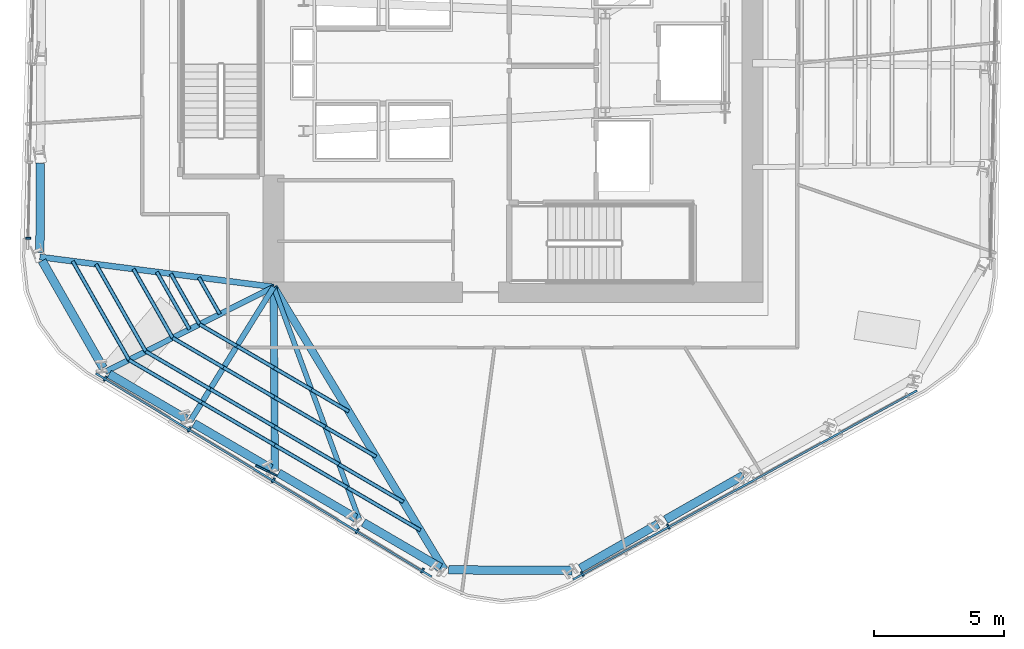
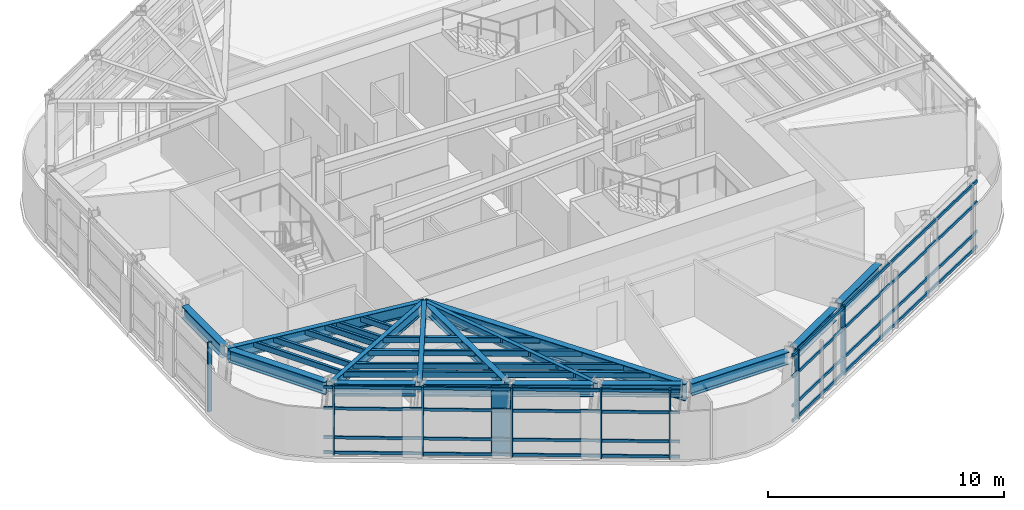
# One storey, part 2 of 14: 39 members, 15 beams, 3 elements without a shape of their own.
"""IFC4 building model written with IfcOpenShell, lengths in metres."""

from ifc_helpers import new_model, si_unit, direction, frame, origin, origin_2d, place, context, subcontext, project, spatial, rectangle, hollow_rectangle, i_section, extrude, material, layer, layer_set, material_profile, profile_set, type_object, element, aggregate, save


model = new_model("IFC4")

# Units and contexts
model_context = context("Model", 3, precision=1e-05, world=origin(), true_north=direction((0.0, 1.0)))
body_context = subcontext(model_context, "Body", "Model", "MODEL_VIEW")
ifc_project = project(units=[si_unit("LENGTHUNIT", "METRE"), si_unit("AREAUNIT", "SQUARE_METRE"), si_unit("VOLUMEUNIT", "CUBIC_METRE"), si_unit("PLANEANGLEUNIT", "RADIAN"), si_unit("MASSUNIT", "GRAM", prefix="KILO")], contexts=[model_context])

# Site, building, storey
site_placement = place(None, origin())
site = spatial("IfcSite", under=ifc_project, at=site_placement, CompositionType="ELEMENT")
building_placement = place(site_placement, origin())
building = spatial("IfcBuilding", under=site, at=building_placement, Name="Valkerne Bourse Tower", CompositionType="ELEMENT")
storey_placement = place(building_placement, frame((0.0, 0.0, 147.60009765625)))
storey = spatial("IfcBuildingStorey", under=building, at=storey_placement, Name="L37", CompositionType="ELEMENT", Elevation=147.60009765625)

# Beams
ifc_material_1 = material(Name="Steel ASTM A992", Category="steel")
ifc_material_profile_1 = material_profile(ifc_material_1, i_section(OverallWidth=0.1904296875, OverallDepth=0.457275390625, WebThickness=0.009033203125, FlangeThickness=0.014404296875, FilletRadius=0.01513671875, at=origin_2d()), Name="W18X50")
ifc_profile_set_1 = profile_set([ifc_material_profile_1], Name="Steel ASTM A992")
beam_type_1 = type_object("IfcBeamType", Name="BM-W18X50", PredefinedType="JOIST", material=ifc_profile_set_1)
beam_1_placement = place(storey_placement, frame((40.902099609375, 9.4326171875, 3.351318359375), z_axis=(-0.345545518952, 0.938401989731, 0.0), x_axis=(-0.938401989731, -0.345545518952, 0.0)))
element("IfcBeam", 1, at=beam_1_placement, inside=storey, type_object=beam_type_1, Name="L37 Radial Composite Floor Beam 18", PredefinedType="JOIST", context=body_context, shape_type="SweptSolid", body=[
    extrude(i_section(OverallWidth=0.1904296875, OverallDepth=0.457275390625, WebThickness=0.009033203125, FlangeThickness=0.014404296875, FilletRadius=0.01513671875, at=origin_2d()), origin(), (0.0, 0.0, 1.0), 9.555908203125),
])
ifc_material_profile_2 = material_profile(ifc_material_1, i_section(OverallWidth=0.279296875, OverallDepth=0.46240234375, WebThickness=0.0107421875, FlangeThickness=0.017333984375, FilletRadius=0.017822265625, at=origin_2d()), Name="W18X76")
ifc_profile_set_2 = profile_set([ifc_material_profile_2], Name="Steel ASTM A992")
beam_type_2 = type_object("IfcBeamType", Name="BM-W18X76", PredefinedType="BEAM", material=ifc_profile_set_2)
beam_2_placement = place(storey_placement, frame((37.646240234375, 11.335205078125, 3.3486328125), z_axis=(-0.006531291039, 0.999978670891, 0.0), x_axis=(-0.999978670891, -0.006531291039, 0.0)))
element("IfcBeam", 2, at=beam_2_placement, inside=storey, type_object=beam_type_2, Name="L37 Radial Composite Floor Beam 17", PredefinedType="BEAM", context=body_context, shape_type="SweptSolid", body=[
    extrude(i_section(OverallWidth=0.279296875, OverallDepth=0.46240234375, WebThickness=0.0107421875, FlangeThickness=0.017333984375, FilletRadius=0.017822265625, at=origin_2d()), origin(), (0.0, 0.0, 1.0), 7.06494140625),
])
ifc_material_profile_3 = material_profile(ifc_material_1, i_section(OverallWidth=0.209228515625, OverallDepth=0.533447265625, WebThickness=0.01025390625, FlangeThickness=0.015625, FilletRadius=0.017822265625, at=origin_2d()), Name="W21X62")
ifc_profile_set_3 = profile_set([ifc_material_profile_3], Name="Steel ASTM A992")
beam_type_3 = type_object("IfcBeamType", Name="BM-W21X62", PredefinedType="JOIST", material=ifc_profile_set_3)
beam_3_placement = place(storey_placement, frame((34.390380859375, 13.23779296875, 3.313232421875), z_axis=(0.52803355361, 0.849223507837, 0.0), x_axis=(-0.849223507837, 0.52803355361, 0.0)))
element("IfcBeam", 3, at=beam_3_placement, inside=storey, type_object=beam_type_3, Name="L37 Radial Composite Floor Beam 16", PredefinedType="JOIST", context=body_context, shape_type="SweptSolid", body=[
    extrude(i_section(OverallWidth=0.209228515625, OverallDepth=0.533447265625, WebThickness=0.01025390625, FlangeThickness=0.015625, FilletRadius=0.017822265625, at=origin_2d()), origin(), (0.0, 0.0, 1.0), 6.07861328125),
])
ifc_material_profile_4 = material_profile(ifc_material_1, i_section(OverallWidth=0.2138671875, OverallDepth=0.548583984375, WebThickness=0.0146484375, FlangeThickness=0.023681640625, FilletRadius=0.017822265625, at=origin_2d()), Name="W21X93")
ifc_profile_set_4 = profile_set([ifc_material_profile_4], Name="Steel ASTM A992")
beam_type_4 = type_object("IfcBeamType", Name="BM-W21X93", PredefinedType="BEAM", material=ifc_profile_set_4)
beam_4_placement = place(storey_placement, frame((31.134521484375, 15.140380859375, 3.3056640625), z_axis=(0.892945479383, 0.450164826313, 0.0), x_axis=(-0.450164826313, 0.892945479383, 0.0)))
element("IfcBeam", 4, at=beam_4_placement, inside=storey, type_object=beam_type_4, Name="L37 Radial Composite Floor Beam 15", PredefinedType="BEAM", context=body_context, shape_type="SweptSolid", body=[
    extrude(i_section(OverallWidth=0.2138671875, OverallDepth=0.548583984375, WebThickness=0.0146484375, FlangeThickness=0.023681640625, FilletRadius=0.017822265625, at=origin_2d()), origin(), (0.0, 0.0, 1.0), 7.24072265625),
])
ifc_material_profile_5 = material_profile(ifc_material_1, i_section(OverallWidth=0.32763671875, OverallDepth=0.62744140625, WebThickness=0.0166015625, FlangeThickness=0.027587890625, FilletRadius=0.020263671875, at=origin_2d()), Name="W24X146")
ifc_profile_set_5 = profile_set([ifc_material_profile_5], Name="Steel ASTM A992")
beam_type_5 = type_object("IfcBeamType", Name="BM-W24X146", PredefinedType="SPANDREL", material=ifc_profile_set_5)
beam_5_placement = place(storey_placement, frame((28.636474609375, 23.154052734375, 3.26611328125), z_axis=(-0.005265706544, -0.999986136071, 0.0), x_axis=(0.999986136071, -0.005265706544, 0.0)))
element("IfcBeam", 5, at=beam_5_placement, inside=storey, type_object=beam_type_5, Name="L37 Hexagonal Spandrel Ring Beam 13", PredefinedType="SPANDREL", context=body_context, shape_type="SweptSolid", body=[
    extrude(i_section(OverallWidth=0.32763671875, OverallDepth=0.62744140625, WebThickness=0.0166015625, FlangeThickness=0.027587890625, FilletRadius=0.020263671875, at=origin_2d()), origin(), (0.0, 0.0, 1.0), 3.430908203125),
])
beam_6_placement = place(storey_placement, frame((28.70166015625, 19.405517578125, 3.26611328125), z_axis=(0.495473196083, -0.868623227852, 0.0), x_axis=(0.868623227852, 0.495473196083, 0.0)))
element("IfcBeam", 6, at=beam_6_placement, inside=storey, type_object=beam_type_5, Name="L37 Hexagonal Spandrel Ring Beam 14", PredefinedType="SPANDREL", context=body_context, shape_type="SweptSolid", body=[
    extrude(i_section(OverallWidth=0.32763671875, OverallDepth=0.62744140625, WebThickness=0.0166015625, FlangeThickness=0.027587890625, FilletRadius=0.020263671875, at=origin_2d()), origin(), (0.0, 0.0, 1.0), 4.740234375),
])
for number, where, z_axis, x_axis, name in (
    (7, (31.28125, 15.0546875, 3.26611328125), (0.863381202753, -0.504552176423, 0.0), (0.504552176423, 0.863381202753, 0.0), "L37 Hexagonal Spandrel Ring Beam 15"),
    (8, (34.537109375, 13.152099609375, 3.26611328125), (0.863381202753, -0.504552176423, 0.0), (0.504552176423, 0.863381202753, 0.0), "L37 Hexagonal Spandrel Ring Beam 16"),
    (9, (37.79296875, 11.24951171875, 3.26611328125), (0.863381202753, -0.504552176423, 0.0), (0.504552176423, 0.863381202753, 0.0), "L37 Hexagonal Spandrel Ring Beam 17"),
):
    element("IfcBeam", number, at=place(storey_placement, frame(where, z_axis=z_axis, x_axis=x_axis)), inside=storey, type_object=beam_type_5, Name=name, PredefinedType="SPANDREL", context=body_context, shape_type="SweptSolid", body=[
        extrude(i_section(OverallWidth=0.32763671875, OverallDepth=0.62744140625, WebThickness=0.0166015625, FlangeThickness=0.027587890625, FilletRadius=0.020263671875, at=origin_2d()), origin(), (0.0, 0.0, 1.0), 3.43115234375),
    ])
beam_7_placement = place(storey_placement, frame((41.048828125, 9.3466796875, 3.26611328125), z_axis=(0.863443192917, -0.504446084934, 0.0), x_axis=(0.504446084934, 0.863443192917, 0.0)))
element("IfcBeam", 10, at=beam_7_placement, inside=storey, type_object=beam_type_5, Name="L37 Hexagonal Spandrel Ring Beam 18", PredefinedType="SPANDREL", context=body_context, shape_type="SweptSolid", body=[
    extrude(i_section(OverallWidth=0.32763671875, OverallDepth=0.62744140625, WebThickness=0.0166015625, FlangeThickness=0.027587890625, FilletRadius=0.020263671875, at=origin_2d()), origin(), (0.0, 0.0, 1.0), 3.430908203125),
])
beam_8_placement = place(storey_placement, frame((44.327880859375, 7.529296875, 3.26611328125), z_axis=(0.999986201184, -0.005253326768, 0.0), x_axis=(0.005253326768, 0.999986201184, 0.0)))
element("IfcBeam", 11, at=beam_8_placement, inside=storey, type_object=beam_type_5, Name="L37 Hexagonal Spandrel Ring Beam 19", PredefinedType="SPANDREL", context=body_context, shape_type="SweptSolid", body=[
    extrude(i_section(OverallWidth=0.32763671875, OverallDepth=0.62744140625, WebThickness=0.0166015625, FlangeThickness=0.027587890625, FilletRadius=0.020263671875, at=origin_2d()), origin(), (0.0, 0.0, 1.0), 4.740234375),
])
for number, where, z_axis, x_axis, name in (
    (12, (49.3857421875, 7.587646484375, 3.26611328125), (0.868623854331, 0.495472097789, 0.0), (-0.495472097789, 0.868623854331, 0.0), "L37 Hexagonal Spandrel Ring Beam 20"),
    (13, (52.661376953125, 9.4560546875, 3.26611328125), (0.868623854331, 0.495472097789, 0.0), (-0.495472097789, 0.868623854331, 0.0), "L37 Hexagonal Spandrel Ring Beam 21"),
):
    element("IfcBeam", number, at=place(storey_placement, frame(where, z_axis=z_axis, x_axis=x_axis)), inside=storey, type_object=beam_type_5, Name=name, PredefinedType="SPANDREL", context=body_context, shape_type="SweptSolid", body=[
        extrude(i_section(OverallWidth=0.32763671875, OverallDepth=0.62744140625, WebThickness=0.0166015625, FlangeThickness=0.027587890625, FilletRadius=0.020263671875, at=origin_2d()), origin(), (0.0, 0.0, 1.0), 3.430908203125),
    ])
ifc_material_profile_6 = material_profile(ifc_material_1, i_section(OverallWidth=0.228271484375, OverallDepth=0.607177734375, WebThickness=0.01123046875, FlangeThickness=0.017333984375, FilletRadius=0.017822265625, at=origin_2d()), Name="W24X76")
ifc_profile_set_6 = profile_set([ifc_material_profile_6], Name="Steel ASTM A992")
beam_type_6 = type_object("IfcBeamType", Name="BM-W24X76", PredefinedType="JOIST", material=ifc_profile_set_6)
beam_9_placement = place(storey_placement, frame((28.617431640625, 19.552978515625, 3.2763671875), z_axis=(0.991861425006, -0.127322086003, 0.0), x_axis=(0.127322086003, 0.991861425006, 0.0)))
element("IfcBeam", 14, at=beam_9_placement, inside=storey, type_object=beam_type_6, Name="L37 Radial Composite Floor Beam 14", PredefinedType="JOIST", context=body_context, shape_type="SweptSolid", body=[
    extrude(i_section(OverallWidth=0.228271484375, OverallDepth=0.607177734375, WebThickness=0.01123046875, FlangeThickness=0.017333984375, FilletRadius=0.017822265625, at=origin_2d()), origin(), (0.0, 0.0, 1.0), 9.056396484375),
])
ifc_material_profile_7 = material_profile(ifc_material_1, i_section(OverallWidth=0.2919921875, OverallDepth=0.8583984375, WebThickness=0.01708984375, FlangeThickness=0.031005859375, FilletRadius=0.025390625, at=origin_2d()), Name="W33X169")
ifc_profile_set_7 = profile_set([ifc_material_profile_7], Name="Steel ASTM A992")
beam_type_7 = type_object("IfcBeamType", Name="BM-W33X169", PredefinedType="BEAM", material=ifc_profile_set_7)
beam_10_placement = place(storey_placement, frame((44.157958984375, 7.530029296875, 3.150634765625), z_axis=(-0.516575760358, 0.856241486855, 0.0), x_axis=(-0.856241486855, -0.516575760358, 0.0)))
element("IfcBeam", 15, at=beam_10_placement, inside=storey, type_object=beam_type_7, Name="L37 Radial Composite Floor Beam 19", PredefinedType="BEAM", context=body_context, shape_type="SweptSolid", body=[
    extrude(i_section(OverallWidth=0.2919921875, OverallDepth=0.8583984375, WebThickness=0.01708984375, FlangeThickness=0.031005859375, FilletRadius=0.025390625, at=origin_2d()), origin(), (0.0, 0.0, 1.0), 12.69482421875),
])

# Curtain wall, member
ifc_material_2 = material(Name="Aluminium AA 6063-T6", Category="aluminium")
ifc_layer = layer(ifc_material_2, 0.235107421875)
ifc_layer_set = layer_set([ifc_layer], Name="Aluminium AA 6063-T6")
curtain_wall_type = type_object("IfcCurtainWallType", Name="CW-03", PredefinedType="NOTDEFINED", material=ifc_layer_set)
curtain_wall_1_placement = place(storey_placement, origin())
curtain_wall_1 = element("IfcCurtainWall", 16, at=curtain_wall_1_placement, inside=storey, type_object=curtain_wall_type, Name="L37 Hexagonal Stick Curtain Wall Face 3", PredefinedType="NOTDEFINED")
ifc_material_profile_8 = material_profile(ifc_material_2, rectangle(XDim=0.074951171875, YDim=0.199951171875, at=origin_2d()), Name="CWM-75X200")
ifc_profile_set_8 = profile_set([ifc_material_profile_8], Name="Aluminium AA 6063-T6")
member_type_1 = type_object("IfcMemberType", Name="CW-MUL-220X75", PredefinedType="MULLION", material=ifc_profile_set_8)
member_1_placement = place(storey_placement, frame((28.171630859375, 20.2666015625, 0.0), z_axis=(0.0, 0.0, 1.0), x_axis=(-0.020949197063, -0.99978054149, 0.0)))
member_1 = element("IfcMember", 17, at=member_1_placement, type_object=member_type_1, Name="CW-L37-F3 Jamb Mullion 03B", PredefinedType="MULLION", context=body_context, shape_type="SweptSolid", body=[
    extrude(rectangle(XDim=0.074951171875, YDim=0.199951171875, at=origin_2d()), origin(), (0.0, 0.0, 1.0), 3.579833984375),
])
aggregate(curtain_wall_1, [member_1])

# Curtain wall, members
curtain_wall_2_placement = place(storey_placement, origin())
curtain_wall_2 = element("IfcCurtainWall", 18, at=curtain_wall_2_placement, inside=storey, type_object=curtain_wall_type, Name="L37 Hexagonal Stick Curtain Wall Face 4", PredefinedType="NOTDEFINED")
member_2_placement = place(storey_placement, frame((31.13330078125, 14.87939453125, 0.0), z_axis=(0.0, 0.0, 1.0), x_axis=(0.855356297425, -0.518040157184, 0.0)))
member_2 = element("IfcMember", 19, at=member_2_placement, type_object=member_type_1, Name="CW-L37-F4 Jamb Mullion 00A", PredefinedType="MULLION", context=body_context, shape_type="SweptSolid", body=[
    extrude(rectangle(XDim=0.074951171875, YDim=0.199951171875, at=origin_2d()), origin(), (0.0, 0.0, 1.0), 3.579833984375),
])
member_3_placement = place(storey_placement, frame((34.35888671875, 12.926025390625, 0.0), z_axis=(0.0, 0.0, 1.0), x_axis=(0.855363413851, -0.518028406794, 0.0)))
member_3 = element("IfcMember", 20, at=member_3_placement, type_object=member_type_1, Name="CW-L37-F4 Jamb Mullion 01A", PredefinedType="MULLION", context=body_context, shape_type="SweptSolid", body=[
    extrude(rectangle(XDim=0.074951171875, YDim=0.199951171875, at=origin_2d()), origin(), (0.0, 0.0, 1.0), 3.579833984375),
])
member_4_placement = place(storey_placement, frame((37.58447265625, 10.972412109375, 0.0), z_axis=(0.0, 0.0, 1.0), x_axis=(0.855363413851, -0.518028406794, 0.0)))
member_4 = element("IfcMember", 21, at=member_4_placement, type_object=member_type_1, Name="CW-L37-F4 Jamb Mullion 02A", PredefinedType="MULLION", context=body_context, shape_type="SweptSolid", body=[
    extrude(rectangle(XDim=0.074951171875, YDim=0.199951171875, at=origin_2d()), origin(), (0.0, 0.0, 1.0), 3.579833984375),
])
member_5_placement = place(storey_placement, frame((40.81005859375, 9.01904296875, 0.0), z_axis=(0.0, 0.0, 1.0), x_axis=(0.855375163968, -0.518009004619, 0.0)))
member_5 = element("IfcMember", 22, at=member_5_placement, type_object=member_type_1, Name="CW-L37-F4 Jamb Mullion 03A", PredefinedType="MULLION", context=body_context, shape_type="SweptSolid", body=[
    extrude(rectangle(XDim=0.074951171875, YDim=0.199951171875, at=origin_2d()), origin(), (0.0, 0.0, 1.0), 3.579833984375),
])
member_6_placement = place(storey_placement, frame((43.317138671875, 7.500732421875, 0.0), z_axis=(0.0, 0.0, 1.0), x_axis=(0.855375163968, -0.518009004619, 0.0)))
member_6 = element("IfcMember", 23, at=member_6_placement, type_object=member_type_1, Name="CW-L37-F4 Jamb Mullion 03B", PredefinedType="MULLION", context=body_context, shape_type="SweptSolid", body=[
    extrude(rectangle(XDim=0.074951171875, YDim=0.199951171875, at=origin_2d()), origin(), (0.0, 0.0, 1.0), 3.579833984375),
])

curtain_wall_3_placement = place(storey_placement, origin())
curtain_wall_3 = element("IfcCurtainWall", 24, at=curtain_wall_3_placement, inside=storey, type_object=curtain_wall_type, Name="L37 Hexagonal Stick Curtain Wall Face 5", PredefinedType="NOTDEFINED")
member_7_placement = place(storey_placement, frame((49.46337890625, 7.3720703125, 0.0), z_axis=(0.0, 0.0, 1.0), x_axis=(0.876302677548, 0.481760954543, 0.0)))
member_7 = element("IfcMember", 25, at=member_7_placement, type_object=member_type_1, Name="CW-L37-F5 Jamb Mullion 00A", PredefinedType="MULLION", context=body_context, shape_type="SweptSolid", body=[
    extrude(rectangle(XDim=0.074951171875, YDim=0.199951171875, at=origin_2d()), origin(), (0.0, 0.0, 1.0), 3.579833984375),
])
member_8_placement = place(storey_placement, frame((52.767822265625, 9.188720703125, 0.0), z_axis=(0.0, 0.0, 1.0), x_axis=(0.876308832094, 0.481749759516, 0.0)))
member_8 = element("IfcMember", 26, at=member_8_placement, type_object=member_type_1, Name="CW-L37-F5 Jamb Mullion 01A", PredefinedType="MULLION", context=body_context, shape_type="SweptSolid", body=[
    extrude(rectangle(XDim=0.074951171875, YDim=0.199951171875, at=origin_2d()), origin(), (0.0, 0.0, 1.0), 3.579833984375),
])

# Member
ifc_material_profile_9 = material_profile(ifc_material_2, rectangle(XDim=0.074951171875, YDim=0.14990234375, at=origin_2d()), Name="CWT-75X150")
ifc_profile_set_9 = profile_set([ifc_material_profile_9], Name="Aluminium AA 6063-T6")
member_type_2 = type_object("IfcMemberType", Name="CW-TRN-180X65", PredefinedType="USERDEFINED", material=ifc_profile_set_9)
member_9_placement = place(storey_placement, frame((30.763671875, 15.080078125, 0.119873046875), z_axis=(0.855363445867, -0.518028353929, 0.0), x_axis=(0.518028353929, 0.855363445867, 0.0)))
member_9 = element("IfcMember", 27, at=member_9_placement, type_object=member_type_2, Name="CW-L37-F4 Continuous Face Transom 1", ObjectType="TRANSOM", PredefinedType="USERDEFINED", context=body_context, shape_type="SweptSolid", body=[
    extrude(rectangle(XDim=0.074951171875, YDim=0.14990234375, at=origin_2d()), origin(), (0.0, 0.0, 1.0), 15.083984375),
])

member_10_placement = place(storey_placement, frame((30.763671875, 15.080078125, 0.89990234375), z_axis=(0.855363445867, -0.518028353929, 0.0), x_axis=(0.518028353929, 0.855363445867, 0.0)))
member_10 = element("IfcMember", 28, at=member_10_placement, type_object=member_type_2, Name="CW-L37-F4 Continuous Face Transom 2", ObjectType="TRANSOM", PredefinedType="USERDEFINED", context=body_context, shape_type="SweptSolid", body=[
    extrude(rectangle(XDim=0.074951171875, YDim=0.14990234375, at=origin_2d()), origin(), (0.0, 0.0, 1.0), 15.083984375),
])

member_11_placement = place(storey_placement, frame((30.763671875, 15.080078125, 2.39990234375), z_axis=(0.855363445867, -0.518028353929, 0.0), x_axis=(0.518028353929, 0.855363445867, 0.0)))
member_11 = element("IfcMember", 29, at=member_11_placement, type_object=member_type_2, Name="CW-L37-F4 Continuous Face Transom 3", ObjectType="TRANSOM", PredefinedType="USERDEFINED", context=body_context, shape_type="SweptSolid", body=[
    extrude(rectangle(XDim=0.074951171875, YDim=0.14990234375, at=origin_2d()), origin(), (0.0, 0.0, 1.0), 15.083984375),
])

member_12_placement = place(storey_placement, frame((30.763671875, 15.080078125, 3.5), z_axis=(0.855363445867, -0.518028353929, 0.0), x_axis=(0.518028353929, 0.855363445867, 0.0)))
member_12 = element("IfcMember", 30, at=member_12_placement, type_object=member_type_2, Name="CW-L37-F4 Continuous Face Transom 4", ObjectType="TRANSOM", PredefinedType="USERDEFINED", context=body_context, shape_type="SweptSolid", body=[
    extrude(rectangle(XDim=0.074951171875, YDim=0.14990234375, at=origin_2d()), origin(), (0.0, 0.0, 1.0), 15.083984375),
])

aggregate(curtain_wall_2, [member_9, member_10, member_11, member_12, member_2, member_3, member_4, member_5, member_6])

member_13_placement = place(storey_placement, frame((49.10498046875, 7.152099609375, 0.119873046875), z_axis=(0.876301668874, 0.481762789273, 0.0), x_axis=(-0.481762789273, 0.876301668874, 0.0)))
member_13 = element("IfcMember", 31, at=member_13_placement, type_object=member_type_2, Name="CW-L37-F5 Continuous Face Transom 1", ObjectType="TRANSOM", PredefinedType="USERDEFINED", context=body_context, shape_type="SweptSolid", body=[
    extrude(rectangle(XDim=0.074951171875, YDim=0.14990234375, at=origin_2d()), origin(), (0.0, 0.0, 1.0), 15.083984375),
])

member_14_placement = place(storey_placement, frame((49.10498046875, 7.152099609375, 0.89990234375), z_axis=(0.876301668874, 0.481762789273, 0.0), x_axis=(-0.481762789273, 0.876301668874, 0.0)))
member_14 = element("IfcMember", 32, at=member_14_placement, type_object=member_type_2, Name="CW-L37-F5 Continuous Face Transom 2", ObjectType="TRANSOM", PredefinedType="USERDEFINED", context=body_context, shape_type="SweptSolid", body=[
    extrude(rectangle(XDim=0.074951171875, YDim=0.14990234375, at=origin_2d()), origin(), (0.0, 0.0, 1.0), 15.083984375),
])

member_15_placement = place(storey_placement, frame((49.10498046875, 7.152099609375, 2.39990234375), z_axis=(0.876301668874, 0.481762789273, 0.0), x_axis=(-0.481762789273, 0.876301668874, 0.0)))
member_15 = element("IfcMember", 33, at=member_15_placement, type_object=member_type_2, Name="CW-L37-F5 Continuous Face Transom 3", ObjectType="TRANSOM", PredefinedType="USERDEFINED", context=body_context, shape_type="SweptSolid", body=[
    extrude(rectangle(XDim=0.074951171875, YDim=0.14990234375, at=origin_2d()), origin(), (0.0, 0.0, 1.0), 15.083984375),
])

member_16_placement = place(storey_placement, frame((49.10498046875, 7.152099609375, 3.5), z_axis=(0.876301668874, 0.481762789273, 0.0), x_axis=(-0.481762789273, 0.876301668874, 0.0)))
member_16 = element("IfcMember", 34, at=member_16_placement, type_object=member_type_2, Name="CW-L37-F5 Continuous Face Transom 4", ObjectType="TRANSOM", PredefinedType="USERDEFINED", context=body_context, shape_type="SweptSolid", body=[
    extrude(rectangle(XDim=0.074951171875, YDim=0.14990234375, at=origin_2d()), origin(), (0.0, 0.0, 1.0), 15.083984375),
])

aggregate(curtain_wall_3, [member_13, member_14, member_15, member_16, member_7, member_8])

# Members
ifc_material_3 = material(Name="Bronze Anodised Aluminium AA 6063-T6", Category="aluminium")
ifc_material_profile_10 = material_profile(ifc_material_3, rectangle(XDim=0.070068359375, YDim=0.89990234375, at=origin_2d()), Name="FIN-70X900")
ifc_profile_set_10 = profile_set([ifc_material_profile_10], Name="Bronze Anodised Aluminium AA 6063-T6")
member_type_3 = type_object("IfcMemberType", Name="FIN-SOLAR-900", PredefinedType="USERDEFINED", material=ifc_profile_set_10)
member_17_placement = place(storey_placement, frame((37.318359375, 11.343994140625, 0.00390625), z_axis=(0.0, 0.0, 1.0), x_axis=(-0.42954855038, -0.903043765753, 0.0)))
element("IfcMember", 35, at=member_17_placement, inside=storey, type_object=member_type_3, Name="L37 Bronze Anodised Solar Fin F4-02", ObjectType="SOLAR_FIN", PredefinedType="USERDEFINED", context=body_context, shape_type="SweptSolid", body=[
    extrude(rectangle(XDim=0.070068359375, YDim=0.89990234375, at=origin_2d()), origin(), (0.0, 0.0, 1.0), 3.572021484375),
])
ifc_material_4 = material(Name="Steel ASTM A500 Grade C", Category="steel")
ifc_material_profile_11 = material_profile(ifc_material_4, hollow_rectangle(XDim=0.14990234375, YDim=0.300048828125, WallThickness=0.012451171875, OuterFilletRadius=0.02490234375, at=origin_2d()), Name="HSS300X150X12.5")
ifc_profile_set_11 = profile_set([ifc_material_profile_11], Name="Steel ASTM A500 Grade C")
member_type_4 = type_object("IfcMemberType", Name="MBR-HSS300X150X12.5", PredefinedType="PURLIN", material=ifc_profile_set_11)
member_18_placement = place(storey_placement, frame((34.7255859375, 18.76904296875, 3.419921875), z_axis=(0.495443330965, -0.868640262596, 0.0), x_axis=(0.868640262596, 0.495443330965, 0.0)))
element("IfcMember", 36, at=member_18_placement, inside=storey, type_object=member_type_4, Name="L37 Secondary Composite Floor Purlin I-14", PredefinedType="PURLIN", context=body_context, shape_type="SweptSolid", body=[
    extrude(hollow_rectangle(XDim=0.14990234375, YDim=0.300048828125, WallThickness=0.012451171875, OuterFilletRadius=0.02490234375, at=origin_2d()), origin(), (0.0, 0.0, 1.0), 1.625732421875),
])
member_19_placement = place(storey_placement, frame((33.647705078125, 18.907470703125, 3.419921875), z_axis=(0.495433029398, -0.868646138184, 0.0), x_axis=(0.868646138184, 0.495433029398, 0.0)))
element("IfcMember", 37, at=member_19_placement, inside=storey, type_object=member_type_4, Name="L37 Secondary Composite Floor Purlin K-14", PredefinedType="PURLIN", context=body_context, shape_type="SweptSolid", body=[
    extrude(hollow_rectangle(XDim=0.14990234375, YDim=0.300048828125, WallThickness=0.012451171875, OuterFilletRadius=0.02490234375, at=origin_2d()), origin(), (0.0, 0.0, 1.0), 2.2353515625),
])
for number, where, z_axis, x_axis, name in (
    (38, (34.755126953125, 16.9658203125, 3.419921875), (0.863394418794, -0.504529560676, 0.0), (0.504529560676, 0.863394418794, 0.0), "L37 Secondary Composite Floor Purlin K-15"),
    (39, (36.187744140625, 16.128662109375, 3.419921875), (0.863394418794, -0.504529560676, 0.0), (0.504529560676, 0.863394418794, 0.0), "L37 Secondary Composite Floor Purlin K-16"),
    (40, (37.620361328125, 15.29150390625, 3.419921875), (0.863394418794, -0.504529560676, 0.0), (0.504529560676, 0.863394418794, 0.0), "L37 Secondary Composite Floor Purlin K-17"),
    (41, (39.052978515625, 14.454345703125, 3.419921875), (0.863394418794, -0.504529560676, 0.0), (0.504529560676, 0.863394418794, 0.0), "L37 Secondary Composite Floor Purlin K-18"),
):
    element("IfcMember", number, at=place(storey_placement, frame(where, z_axis=z_axis, x_axis=x_axis)), inside=storey, type_object=member_type_4, Name=name, PredefinedType="PURLIN", context=body_context, shape_type="SweptSolid", body=[
        extrude(hollow_rectangle(XDim=0.14990234375, YDim=0.300048828125, WallThickness=0.012451171875, OuterFilletRadius=0.02490234375, at=origin_2d()), origin(), (0.0, 0.0, 1.0), 1.6591796875),
    ])
member_20_placement = place(storey_placement, frame((33.10888671875, 18.9765625, 3.419921875), z_axis=(0.495414151578, -0.868656904892, 0.0), x_axis=(0.868656904892, 0.495414151578, 0.0)))
element("IfcMember", 42, at=member_20_placement, inside=storey, type_object=member_type_4, Name="L37 Secondary Composite Floor Purlin M-14", PredefinedType="PURLIN", context=body_context, shape_type="SweptSolid", body=[
    extrude(hollow_rectangle(XDim=0.14990234375, YDim=0.300048828125, WallThickness=0.012451171875, OuterFilletRadius=0.02490234375, at=origin_2d()), origin(), (0.0, 0.0, 1.0), 2.539794921875),
])
member_21_placement = place(storey_placement, frame((30.773193359375, 19.2763671875, 3.419921875), z_axis=(0.495485077282, -0.868616450564, 0.0), x_axis=(0.868616450564, 0.495485077282, 0.0)))
element("IfcMember", 43, at=member_21_placement, inside=storey, type_object=member_type_4, Name="L37 Secondary Composite Floor Purlin O-14", PredefinedType="PURLIN", context=body_context, shape_type="SweptSolid", body=[
    extrude(hollow_rectangle(XDim=0.14990234375, YDim=0.300048828125, WallThickness=0.012451171875, OuterFilletRadius=0.02490234375, at=origin_2d()), origin(), (0.0, 0.0, 1.0), 3.861083984375),
])
member_22_placement = place(storey_placement, frame((32.686279296875, 15.922607421875, 3.419921875), z_axis=(0.863410981178, -0.504501216629, 0.0), x_axis=(0.504501216629, 0.863410981178, 0.0)))
element("IfcMember", 44, at=member_22_placement, inside=storey, type_object=member_type_4, Name="L37 Secondary Composite Floor Purlin O-15", PredefinedType="PURLIN", context=body_context, shape_type="SweptSolid", body=[
    extrude(hollow_rectangle(XDim=0.14990234375, YDim=0.300048828125, WallThickness=0.012451171875, OuterFilletRadius=0.02490234375, at=origin_2d()), origin(), (0.0, 0.0, 1.0), 2.86572265625),
])
member_23_placement = place(storey_placement, frame((35.16064453125, 14.476806640625, 3.419921875), z_axis=(0.863373871921, -0.50456472061, 0.0), x_axis=(0.50456472061, 0.863373871921, 0.0)))
element("IfcMember", 45, at=member_23_placement, inside=storey, type_object=member_type_4, Name="L37 Secondary Composite Floor Purlin O-16", PredefinedType="PURLIN", context=body_context, shape_type="SweptSolid", body=[
    extrude(hollow_rectangle(XDim=0.14990234375, YDim=0.300048828125, WallThickness=0.012451171875, OuterFilletRadius=0.02490234375, at=origin_2d()), origin(), (0.0, 0.0, 1.0), 2.865966796875),
])
member_24_placement = place(storey_placement, frame((37.635009765625, 13.03076171875, 3.419921875), z_axis=(0.863395556999, -0.504527612876, 0.0), x_axis=(0.504527612876, 0.863395556999, 0.0)))
element("IfcMember", 46, at=member_24_placement, inside=storey, type_object=member_type_4, Name="L37 Secondary Composite Floor Purlin O-17", PredefinedType="PURLIN", context=body_context, shape_type="SweptSolid", body=[
    extrude(hollow_rectangle(XDim=0.14990234375, YDim=0.300048828125, WallThickness=0.012451171875, OuterFilletRadius=0.02490234375, at=origin_2d()), origin(), (0.0, 0.0, 1.0), 2.8662109375),
])
member_25_placement = place(storey_placement, frame((40.109619140625, 11.584716796875, 3.419921875), z_axis=(0.863410981178, -0.504501216629, 0.0), x_axis=(0.504501216629, 0.863410981178, 0.0)))
element("IfcMember", 47, at=member_25_placement, inside=storey, type_object=member_type_4, Name="L37 Secondary Composite Floor Purlin O-18", PredefinedType="PURLIN", context=body_context, shape_type="SweptSolid", body=[
    extrude(hollow_rectangle(XDim=0.14990234375, YDim=0.300048828125, WallThickness=0.012451171875, OuterFilletRadius=0.02490234375, at=origin_2d()), origin(), (0.0, 0.0, 1.0), 2.86572265625),
])
member_26_placement = place(storey_placement, frame((32.21044921875, 19.091796875, 3.419921875), z_axis=(0.495465993677, -0.868627336151, 0.0), x_axis=(0.868627336151, 0.495465993677, 0.0)))
element("IfcMember", 48, at=member_26_placement, inside=storey, type_object=member_type_4, Name="L37 Secondary Composite Floor Purlin Z-14", PredefinedType="PURLIN", context=body_context, shape_type="SweptSolid", body=[
    extrude(hollow_rectangle(XDim=0.14990234375, YDim=0.300048828125, WallThickness=0.012451171875, OuterFilletRadius=0.02490234375, at=origin_2d()), origin(), (0.0, 0.0, 1.0), 3.048095703125),
])
member_27_placement = place(storey_placement, frame((33.720703125, 16.444091796875, 3.419921875), z_axis=(0.863442139382, -0.504447888229, 0.0), x_axis=(0.504447888229, 0.863442139382, 0.0)))
element("IfcMember", 49, at=member_27_placement, inside=storey, type_object=member_type_4, Name="L37 Secondary Composite Floor Purlin Z-15", PredefinedType="PURLIN", context=body_context, shape_type="SweptSolid", body=[
    extrude(hollow_rectangle(XDim=0.14990234375, YDim=0.300048828125, WallThickness=0.012451171875, OuterFilletRadius=0.02490234375, at=origin_2d()), origin(), (0.0, 0.0, 1.0), 2.2626953125),
])
member_28_placement = place(storey_placement, frame((35.67431640625, 15.302734375, 3.419921875), z_axis=(0.863367670667, -0.504575331588, 0.0), x_axis=(0.504575331588, 0.863367670667, 0.0)))
element("IfcMember", 50, at=member_28_placement, inside=storey, type_object=member_type_4, Name="L37 Secondary Composite Floor Purlin Z-16", PredefinedType="PURLIN", context=body_context, shape_type="SweptSolid", body=[
    extrude(hollow_rectangle(XDim=0.14990234375, YDim=0.300048828125, WallThickness=0.012451171875, OuterFilletRadius=0.02490234375, at=origin_2d()), origin(), (0.0, 0.0, 1.0), 2.262451171875),
])
for number, where, z_axis, x_axis, name in (
    (51, (37.627685546875, 14.1611328125, 3.419921875), (0.863395139667, -0.504528327054, 0.0), (0.504528327054, 0.863395139667, 0.0), "L37 Secondary Composite Floor Purlin Z-17"),
    (52, (39.581298828125, 13.01953125, 3.419921875), (0.863442139382, -0.504447888229, 0.0), (0.504447888229, 0.863442139382, 0.0), "L37 Secondary Composite Floor Purlin Z-18"),
):
    element("IfcMember", number, at=place(storey_placement, frame(where, z_axis=z_axis, x_axis=x_axis)), inside=storey, type_object=member_type_4, Name=name, PredefinedType="PURLIN", context=body_context, shape_type="SweptSolid", body=[
        extrude(hollow_rectangle(XDim=0.14990234375, YDim=0.300048828125, WallThickness=0.012451171875, OuterFilletRadius=0.02490234375, at=origin_2d()), origin(), (0.0, 0.0, 1.0), 2.2626953125),
    ])
member_29_placement = place(storey_placement, frame((29.875, 19.3916015625, 3.419921875), z_axis=(0.495494883378, -0.868610856798, 0.0), x_axis=(0.868610856798, 0.495494883378, 0.0)))
element("IfcMember", 53, at=member_29_placement, inside=storey, type_object=member_type_4, Name="L37 Secondary Composite Floor Purlin T-14", PredefinedType="PURLIN", context=body_context, shape_type="SweptSolid", body=[
    extrude(hollow_rectangle(XDim=0.14990234375, YDim=0.300048828125, WallThickness=0.012451171875, OuterFilletRadius=0.02490234375, at=origin_2d()), origin(), (0.0, 0.0, 1.0), 4.368896484375),
])
member_30_placement = place(storey_placement, frame((32.039794921875, 15.5966796875, 3.419921875), z_axis=(0.863374499697, -0.504563646405, 0.0), x_axis=(0.504563646405, 0.863374499697, 0.0)))
element("IfcMember", 54, at=member_30_placement, inside=storey, type_object=member_type_4, Name="L37 Secondary Composite Floor Purlin T-15", PredefinedType="PURLIN", context=body_context, shape_type="SweptSolid", body=[
    extrude(hollow_rectangle(XDim=0.14990234375, YDim=0.300048828125, WallThickness=0.012451171875, OuterFilletRadius=0.02490234375, at=origin_2d()), origin(), (0.0, 0.0, 1.0), 3.242919921875),
])
for number, where, z_axis, x_axis, name in (
    (55, (34.839599609375, 13.96044921875, 3.419921875), (0.863393664356, -0.504530851732, 0.0), (0.504530851732, 0.863393664356, 0.0), "L37 Secondary Composite Floor Purlin T-16"),
    (56, (37.6396484375, 12.32421875, 3.419921875), (0.863393664356, -0.504530851732, 0.0), (0.504530851732, 0.863393664356, 0.0), "L37 Secondary Composite Floor Purlin T-17"),
    (57, (40.439697265625, 10.68798828125, 3.419921875), (0.863445614071, -0.504441940705, 0.0), (0.504441940705, 0.863445614071, 0.0), "L37 Secondary Composite Floor Purlin T-18"),
):
    element("IfcMember", number, at=place(storey_placement, frame(where, z_axis=z_axis, x_axis=x_axis)), inside=storey, type_object=member_type_4, Name=name, PredefinedType="PURLIN", context=body_context, shape_type="SweptSolid", body=[
        extrude(hollow_rectangle(XDim=0.14990234375, YDim=0.300048828125, WallThickness=0.012451171875, OuterFilletRadius=0.02490234375, at=origin_2d()), origin(), (0.0, 0.0, 1.0), 3.2431640625),
    ])

save(model, "model.ifc")
